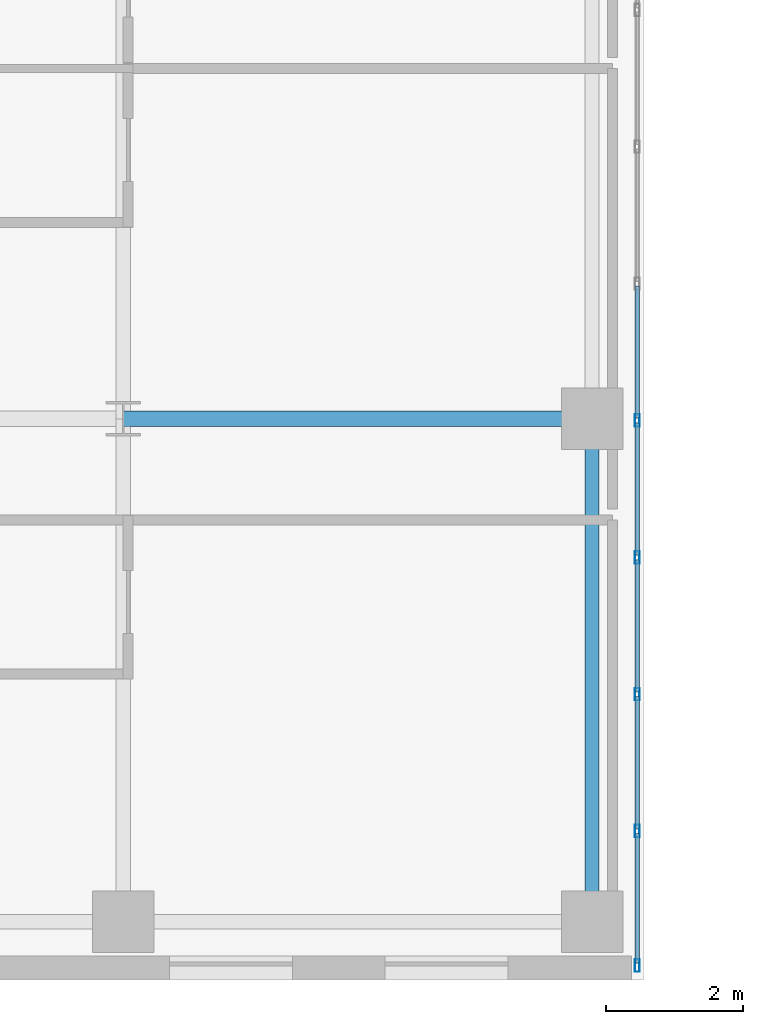
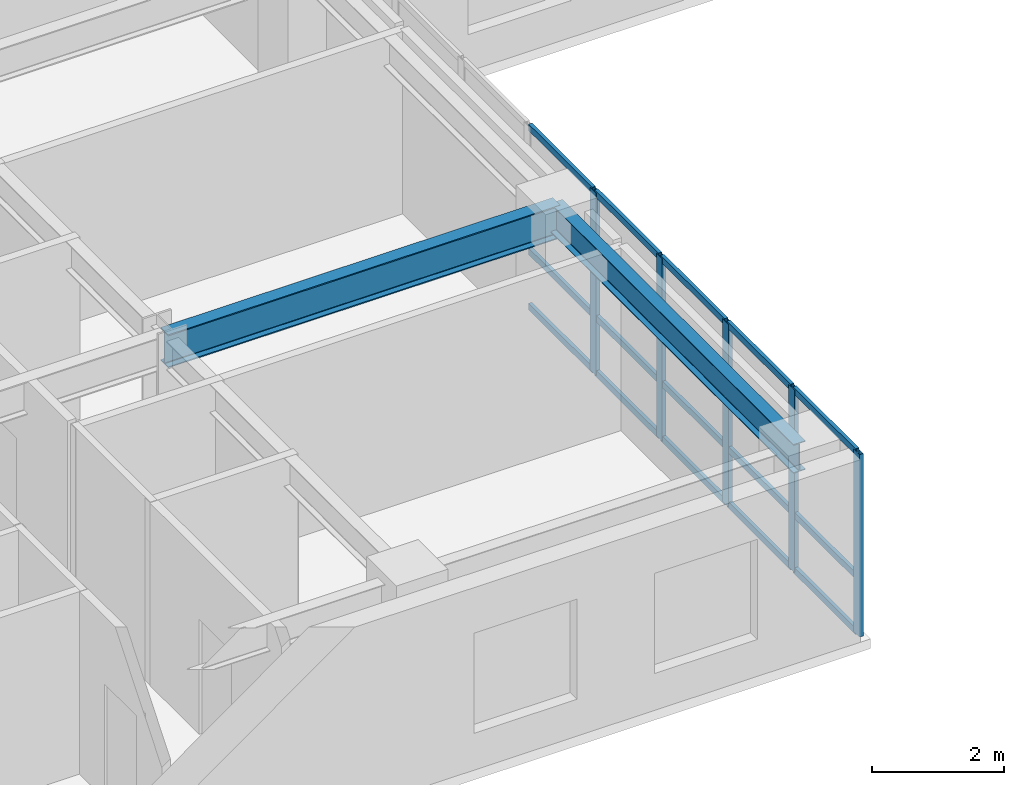
# One storey, part 2 of 17: 20 members, 2 beams, 1 element without a shape of its own.
"""IFC4 building model written with IfcOpenShell, lengths in metres."""

import ifcopenshell
import ifcopenshell.guid

model = None  # the IFC model being written
_history = None  # IfcOwnerHistory: only IFC2X3 demands one
_inside = {}  # id of a spatial element -> (the spatial element, [elements in it])
_under = {}  # id of a project, library or spatial element -> (it, [spatial elements below it])
_declared = {}  # id of a project -> (the project, [libraries it declares])
_typed = {}  # id of a type object -> (the type object, [elements of that type])
_made_of = {}  # id of a material, layer set ... -> (it, [elements and type objects made of it])


def new_model(schema):
    """Start an empty IFC model of exactly this schema.

    Asked for "IFC4X3", IfcOpenShell would pick the latest addendum, in which some entities
    have other attributes; the version numbers below select the first issue.
    IFC2X3 requires an IfcOwnerHistory on every rooted entity: one is made here for all.
    """
    global model, _history
    if schema == "IFC4X3":
        model = ifcopenshell.file(schema_version=(4, 3, 0, 0))
    else:
        model = ifcopenshell.file(schema=schema)
    _inside.clear()
    _under.clear()
    _declared.clear()
    _typed.clear()
    _made_of.clear()
    _history = None
    if model.schema == "IFC2X3":
        org = make("IfcOrganization", Name="unknown")
        user = make(
            "IfcPersonAndOrganization",
            ThePerson=make("IfcPerson", FamilyName="unknown"),
            TheOrganization=org,
        )
        app = make(
            "IfcApplication",
            ApplicationDeveloper=org,
            Version="unknown",
            ApplicationFullName="unknown",
            ApplicationIdentifier="unknown",
        )
        _history = make(
            "IfcOwnerHistory",
            OwningUser=user,
            OwningApplication=app,
            ChangeAction="ADDED",
            CreationDate=0,
        )
    return model


def make(cls, **values):
    """One entity of the class cls with the attributes given. An attribute that is None is left unset."""
    return model.create_entity(
        cls, **{name: value for name, value in values.items() if value is not None}
    )


def rooted(cls, **values):
    """An entity with a GlobalId (a new one), such as an element, a storey or a relation."""
    return make(cls, GlobalId=ifcopenshell.guid.new(), OwnerHistory=_history, **values)


def si_unit(unit_type, name, prefix=None):
    """IfcSIUnit, for example si_unit("LENGTHUNIT", "METRE", prefix="MILLI")."""
    return make("IfcSIUnit", UnitType=unit_type, Prefix=prefix, Name=name)


def assignment(units):
    """IfcUnitAssignment: the units of a project."""
    return None if units is None else make("IfcUnitAssignment", Units=units)


def point(xyz):
    """IfcCartesianPoint."""
    return None if xyz is None else make("IfcCartesianPoint", Coordinates=xyz)


def direction(xyz):
    """IfcDirection."""
    return None if xyz is None else make("IfcDirection", DirectionRatios=xyz)


def frame(location, z_axis=None, x_axis=None):
    """IfcAxis2Placement3D, a coordinate frame: its origin and axes. An axis left out is left unset."""
    return make(
        "IfcAxis2Placement3D",
        Location=point(location),
        Axis=direction(z_axis),
        RefDirection=direction(x_axis),
    )


def frame_2d(location, x_axis=None):
    """IfcAxis2Placement2D, a coordinate frame in the plane: its origin and x axis."""
    return make(
        "IfcAxis2Placement2D", Location=point(location), RefDirection=direction(x_axis)
    )


def origin():
    """The frame at (0, 0, 0) with its axes left unset."""
    return frame((0.0, 0.0, 0.0))


def origin_2d():
    """The frame at (0, 0) in the plane with its x axis left unset."""
    return frame_2d((0.0, 0.0))


def place(relative_to, where):
    """IfcLocalPlacement: puts the frame where relative to a parent placement (None: the world)."""
    return make(
        "IfcLocalPlacement", PlacementRelTo=relative_to, RelativePlacement=where
    )


def context(
    kind, dimensions, precision=None, world=None, true_north=None, identifier=None
):
    """IfcGeometricRepresentationContext, for example the 3D "Model" context."""
    return make(
        "IfcGeometricRepresentationContext",
        ContextIdentifier=identifier,
        ContextType=kind,
        CoordinateSpaceDimension=dimensions,
        Precision=precision,
        WorldCoordinateSystem=world,
        TrueNorth=true_north,
    )


def subcontext(parent, identifier, kind, view, scale=None):
    """IfcGeometricRepresentationSubContext, for example "Body" below "Model"."""
    return make(
        "IfcGeometricRepresentationSubContext",
        ContextIdentifier=identifier,
        ContextType=kind,
        ParentContext=parent,
        TargetScale=scale,
        TargetView=view,
    )


def project(units=None, contexts=None):
    """IfcProject with its units and contexts."""
    return rooted(
        "IfcProject",
        Name="project",
        RepresentationContexts=contexts,
        UnitsInContext=assignment(units),
    )


def spatial(cls, under=None, at=None, **own):
    """A site, building, storey or space (cls), placed at a placement, below another one or the project."""
    s = rooted(cls, ObjectPlacement=at, **own)
    if under is not None:
        _under.setdefault(under.id(), (under, []))[1].append(s)
    return s


def profile(cls, at=None, kind="AREA", **sizes):
    """A parametric profile (cls). Its sizes go by their IFC names, for example OverallWidth=200.0."""
    return make(cls, ProfileType=kind, Position=at, **sizes)


def hollow_rectangle(**sizes):
    """IfcRectangleHollowProfileDef."""
    return profile("IfcRectangleHollowProfileDef", **sizes)


def i_section(**sizes):
    """IfcIShapeProfileDef."""
    return profile("IfcIShapeProfileDef", **sizes)


def extrude(swept, where, along, depth):
    """IfcExtrudedAreaSolid: the profile swept, set in the frame where, extruded along a direction by depth."""
    return make(
        "IfcExtrudedAreaSolid",
        SweptArea=swept,
        Position=where,
        ExtrudedDirection=direction(along),
        Depth=depth,
    )


def shape(context_of_items, identifier, shape_type, items):
    """IfcShapeRepresentation: the items that make up one representation, for example the "Body"."""
    return make(
        "IfcShapeRepresentation",
        ContextOfItems=context_of_items,
        RepresentationIdentifier=identifier,
        RepresentationType=shape_type,
        Items=items,
    )


def source(mapping_origin, context_of_items, identifier, shape_type, items):
    """IfcRepresentationMap: a shape defined once, which mapped items show again and again."""
    return make(
        "IfcRepresentationMap",
        MappingOrigin=mapping_origin,
        MappedRepresentation=shape(context_of_items, identifier, shape_type, items),
    )


def transform(
    local_origin,
    x_axis=None,
    y_axis=None,
    z_axis=None,
    scale=None,
    scale2=None,
    scale3=None,
    uniform=True,
):
    """IfcCartesianTransformationOperator3D, or its non-uniform kind. x_axis, y_axis, z_axis: its Axis1, 2, 3."""
    if uniform:
        return make(
            "IfcCartesianTransformationOperator3D",
            Axis1=direction(x_axis),
            Axis2=direction(y_axis),
            LocalOrigin=point(local_origin),
            Scale=scale,
            Axis3=direction(z_axis),
        )
    return make(
        "IfcCartesianTransformationOperator3DnonUniform",
        Axis1=direction(x_axis),
        Axis2=direction(y_axis),
        LocalOrigin=point(local_origin),
        Scale=scale,
        Axis3=direction(z_axis),
        Scale2=scale2,
        Scale3=scale3,
    )


def mapped(mapping_source, mapping_target):
    """IfcMappedItem: shows the shape of a source again, moved by a transform."""
    return make(
        "IfcMappedItem", MappingSource=mapping_source, MappingTarget=mapping_target
    )


def material(Name=None, Category=None):
    """IfcMaterial."""
    return make("IfcMaterial", Name=Name, Category=Category)


def layer(
    of_material, thickness, ventilated=None, Name=None, Category=None, Priority=None
):
    """IfcMaterialLayer: one layer of a wall or slab, of a material (None: an air gap)."""
    return make(
        "IfcMaterialLayer",
        Material=of_material,
        LayerThickness=thickness,
        IsVentilated=ventilated,
        Name=Name,
        Category=Category,
        Priority=Priority,
    )


def layer_set(layers, Name=None):
    """IfcMaterialLayerSet."""
    return make("IfcMaterialLayerSet", MaterialLayers=layers, LayerSetName=Name)


def material_profile(
    of_material, cross_section, Name=None, Category=None, Priority=None
):
    """IfcMaterialProfile: a cross section and its material."""
    return make(
        "IfcMaterialProfile",
        Name=Name,
        Material=of_material,
        Profile=cross_section,
        Priority=Priority,
        Category=Category,
    )


def profile_set(profiles, Name=None, composite=None):
    """IfcMaterialProfileSet."""
    return make(
        "IfcMaterialProfileSet",
        Name=Name,
        MaterialProfiles=profiles,
        CompositeProfile=composite,
    )


def made_of(thing, what):
    """Note that an element or type object is made of a material, layer set ...; save() writes the relation."""
    if what is not None:
        _made_of.setdefault(what.id(), (what, []))[1].append(thing)
    return thing


def type_object(cls, material=None, **own):
    """A type object (cls), such as IfcWallType, which elements share."""
    return made_of(rooted(cls, **own), material)


def type_shapes(of_type, sources):
    """Give a type object the sources (RepresentationMaps) that its elements show as mapped items."""
    of_type.RepresentationMaps = sources


def element(
    cls,
    number,
    at=None,
    inside=None,
    cuts=None,
    type_object=None,
    material=None,
    context=None,
    identifier="Body",
    shape_type=None,
    held_by="IfcProductDefinitionShape",
    body=None,
    shapes=None,
    **own,
):
    """One element of the class cls, such as IfcWall. Its Tag is "e" and its number.

    at: its placement. inside: the storey or other place that contains it. cuts: it is an
    opening in that element (IfcRelVoidsElement). A single representation is given by context,
    identifier, shape_type and body (its items); several are given by shapes. held_by: the class
    of the entity that holds the representations. save() writes the other relations.
    """
    e = rooted(cls, Tag="e%d" % number, ObjectPlacement=at, **own)
    if body is not None:
        shapes = [shape(context, identifier, shape_type, body)]
    if shapes is not None:
        e.Representation = make(held_by, Representations=shapes)
    if inside is not None:
        _inside.setdefault(inside.id(), (inside, []))[1].append(e)
    if cuts is not None:
        rooted(
            "IfcRelVoidsElement", RelatingBuildingElement=cuts, RelatedOpeningElement=e
        )
    if type_object is not None:
        _typed.setdefault(type_object.id(), (type_object, []))[1].append(e)
    return made_of(e, material)


def aggregate(whole, parts):
    """IfcRelAggregates: a whole, such as a stair, and the parts it consists of."""
    return rooted("IfcRelAggregates", RelatingObject=whole, RelatedObjects=parts)


def save(model, path):
    """Write the relations noted so far, then the file.

    IfcRelAggregates (storeys below a building ...), IfcRelContainedInSpatialStructure (elements
    in a storey), IfcRelDefinesByType, IfcRelAssociatesMaterial and IfcRelDeclares: one each for
    every whole, place, type object, material and project.
    """
    for whole, parts in _under.values():
        aggregate(whole, parts)
    for where, things in _inside.values():
        rooted(
            "IfcRelContainedInSpatialStructure",
            RelatedElements=things,
            RelatingStructure=where,
        )
    for kind, things in _typed.values():
        rooted("IfcRelDefinesByType", RelatedObjects=things, RelatingType=kind)
    for what, things in _made_of.values():
        rooted("IfcRelAssociatesMaterial", RelatedObjects=things, RelatingMaterial=what)
    for by, libraries in _declared.values():
        rooted("IfcRelDeclares", RelatingContext=by, RelatedDefinitions=libraries)
    model.write(path)


model = new_model("IFC4")

# Units and contexts
model_context = context("Model", 3, precision=1e-05, world=origin(), true_north=direction((0.0, 1.0)))
body_context = subcontext(model_context, "Body", "Model", "MODEL_VIEW")
ifc_project = project(units=[si_unit("LENGTHUNIT", "METRE"), si_unit("AREAUNIT", "SQUARE_METRE"), si_unit("VOLUMEUNIT", "CUBIC_METRE"), si_unit("PLANEANGLEUNIT", "RADIAN"), si_unit("MASSUNIT", "GRAM", prefix="KILO")], contexts=[model_context])

# Site, building, storey
site_placement = place(None, origin())
site = spatial("IfcSite", under=ifc_project, at=site_placement, CompositionType="ELEMENT")
building_placement = place(site_placement, origin())
building = spatial("IfcBuilding", under=site, at=building_placement, Name="Tolvann Quenvar Hotel", CompositionType="ELEMENT")
storey_placement = place(building_placement, frame((0.0, 0.0, 136.39990234375)))
storey = spatial("IfcBuildingStorey", under=building, at=storey_placement, Name="L35", CompositionType="ELEMENT", Elevation=136.39990234375)

# Beams
ifc_material_1 = material(Name="Steel Grade 350", Category="steel")
ifc_material_profile_1 = material_profile(ifc_material_1, i_section(OverallWidth=0.22900390625, OverallDepth=0.612060546875, WebThickness=0.011962890625, FlangeThickness=0.01953125, FilletRadius=0.013916015625, at=origin_2d()), Name="610UB125")
ifc_profile_set_1 = profile_set([ifc_material_profile_1], Name="Steel Grade 350")
beam_type_1 = type_object("IfcBeamType", Name="BM_GIRD_610UB125", PredefinedType="BEAM", material=ifc_profile_set_1)
shared_shape_1 = source(origin(), body_context, "Body", "SweptSolid", [
    extrude(i_section(OverallWidth=0.22900390625, OverallDepth=0.612060546875, WebThickness=0.011962890625, FlangeThickness=0.01953125, FilletRadius=0.013916015625, at=origin_2d()), origin(), (0.0, 0.0, 1.0), 6.85009765625),
])
type_shapes(beam_type_1, [shared_shape_1])
beam_1_placement = place(storey_placement, frame((15.199951171875, 8.199951171875, 3.064208984375), z_axis=(1.0, 0.0, 0.0), x_axis=(0.0, 1.0, 0.0)))
element("IfcBeam", 1, at=beam_1_placement, inside=storey, type_object=beam_type_1, Name="BM-L35-EW-3-D3-E3", PredefinedType="BEAM", context=body_context, shape_type="MappedRepresentation", body=[
    mapped(shared_shape_1, transform((0.0, 0.0, 0.0), x_axis=(1.0, 0.0, 0.0), y_axis=(0.0, 1.0, 0.0), z_axis=(0.0, 0.0, 1.0), scale=1.0)),
])
ifc_material_profile_2 = material_profile(ifc_material_1, i_section(OverallWidth=0.208984375, OverallDepth=0.532958984375, WebThickness=0.01025390625, FlangeThickness=0.015625, FilletRadius=0.013916015625, at=origin_2d()), Name="530UB92")
ifc_profile_set_2 = profile_set([ifc_material_profile_2], Name="Steel Grade 350")
beam_type_2 = type_object("IfcBeamType", Name="BM_GIRD_530UB92", PredefinedType="BEAM", material=ifc_profile_set_2)
shared_shape_2 = source(origin(), body_context, "Body", "SweptSolid", [
    extrude(i_section(OverallWidth=0.208984375, OverallDepth=0.532958984375, WebThickness=0.01025390625, FlangeThickness=0.015625, FilletRadius=0.013916015625, at=origin_2d()), origin(), (0.0, 0.0, 1.0), 7.349853515625),
])
type_shapes(beam_type_2, [shared_shape_2])
beam_2_placement = place(storey_placement, frame((22.050048828125, 0.85009765625, 3.103515625), z_axis=(0.0, 1.0, 0.0), x_axis=(-1.0, 0.0, 0.0)))
element("IfcBeam", 2, at=beam_2_placement, inside=storey, type_object=beam_type_2, Name="BM-L35-NS-E2-E3", PredefinedType="BEAM", context=body_context, shape_type="MappedRepresentation", body=[
    mapped(shared_shape_2, transform((0.0, 0.0, 0.0), x_axis=(1.0, 0.0, 0.0), y_axis=(0.0, 1.0, 0.0), z_axis=(0.0, 0.0, 1.0), scale=1.0)),
])

# Curtain wall, members
ifc_material_2 = material(Name="Thermally broken anodised architectural aluminium 6063-T6 and laminated low-E glass", Category="aluminium")
ifc_layer = layer(ifc_material_2, 0.179931640625)
ifc_layer_set = layer_set([ifc_layer], Name="Thermally broken anodised architectural aluminium 6063-T6 and laminated low-E glass")
curtain_wall_type = type_object("IfcCurtainWallType", Name="CW_SYS_SLOT_03", PredefinedType="USERDEFINED", material=ifc_layer_set)
curtain_wall_placement = place(storey_placement, origin())
curtain_wall = element("IfcCurtainWall", 3, at=curtain_wall_placement, inside=storey, type_object=curtain_wall_type, Name="Curtain Wall CW-SLOT-03 (CWR-L35-E05)", ObjectType="UNITISED CURTAIN WALL", PredefinedType="USERDEFINED")
ifc_material_3 = material(Name="Anodised architectural aluminium 6063-T6 framing", Category="aluminium")
ifc_material_profile_3 = material_profile(ifc_material_3, hollow_rectangle(XDim=0.070068359375, YDim=0.179931640625, WallThickness=0.00390625, at=origin_2d()), Name="180x70x4RHS")
ifc_profile_set_3 = profile_set([ifc_material_profile_3], Name="Anodised architectural aluminium 6063-T6 framing")
member_type_1 = type_object("IfcMemberType", Name="CW_MULL_180x70", PredefinedType="MULLION", material=ifc_profile_set_3)
shared_shape_3 = source(origin(), body_context, "Body", "SweptSolid", [
    extrude(hollow_rectangle(XDim=0.070068359375, YDim=0.179931640625, WallThickness=0.00390625, at=origin_2d()), origin(), (0.0, 0.0, 1.0), 3.3701171875),
])
type_shapes(member_type_1, [shared_shape_3])
member_1_placement = place(storey_placement, frame((22.7099609375, 0.2099609375, 0.0), z_axis=(0.0, 0.0, 1.0), x_axis=(-1.0, 0.0, 0.0)))
member_1 = element("IfcMember", 4, at=member_1_placement, type_object=member_type_1, Name="CW-SLOT-03 mullion 1", PredefinedType="MULLION", context=body_context, shape_type="MappedRepresentation", body=[
    mapped(shared_shape_3, transform((0.0, 0.0, 0.0), x_axis=(1.0, 0.0, 0.0), y_axis=(0.0, 1.0, 0.0), z_axis=(0.0, 0.0, 1.0), scale=1.0)),
])
member_2_placement = place(storey_placement, frame((22.7099609375, 2.175048828125, 0.0), z_axis=(0.0, 0.0, 1.0), x_axis=(-1.0, 0.0, 0.0)))
member_2 = element("IfcMember", 5, at=member_2_placement, type_object=member_type_1, Name="CW-SLOT-03 mullion 2", PredefinedType="MULLION", context=body_context, shape_type="MappedRepresentation", body=[
    mapped(shared_shape_3, transform((0.0, 0.0, 0.0), x_axis=(1.0, 0.0, 0.0), y_axis=(0.0, 1.0, 0.0), z_axis=(0.0, 0.0, 1.0), scale=1.0)),
])
member_3_placement = place(storey_placement, frame((22.7099609375, 4.175048828125, 0.0), z_axis=(0.0, 0.0, 1.0), x_axis=(-1.0, 0.0, 0.0)))
member_3 = element("IfcMember", 6, at=member_3_placement, type_object=member_type_1, Name="CW-SLOT-03 mullion 3", PredefinedType="MULLION", context=body_context, shape_type="MappedRepresentation", body=[
    mapped(shared_shape_3, transform((0.0, 0.0, 0.0), x_axis=(1.0, 0.0, 0.0), y_axis=(0.0, 1.0, 0.0), z_axis=(0.0, 0.0, 1.0), scale=1.0)),
])
member_4_placement = place(storey_placement, frame((22.7099609375, 6.175048828125, 0.0), z_axis=(0.0, 0.0, 1.0), x_axis=(-1.0, 0.0, 0.0)))
member_4 = element("IfcMember", 7, at=member_4_placement, type_object=member_type_1, Name="CW-SLOT-03 mullion 4", PredefinedType="MULLION", context=body_context, shape_type="MappedRepresentation", body=[
    mapped(shared_shape_3, transform((0.0, 0.0, 0.0), x_axis=(1.0, 0.0, 0.0), y_axis=(0.0, 1.0, 0.0), z_axis=(0.0, 0.0, 1.0), scale=1.0)),
])
member_5_placement = place(storey_placement, frame((22.7099609375, 8.175048828125, 0.0), z_axis=(0.0, 0.0, 1.0), x_axis=(-1.0, 0.0, 0.0)))
member_5 = element("IfcMember", 8, at=member_5_placement, type_object=member_type_1, Name="CW-SLOT-03 mullion 5", PredefinedType="MULLION", context=body_context, shape_type="MappedRepresentation", body=[
    mapped(shared_shape_3, transform((0.0, 0.0, 0.0), x_axis=(1.0, 0.0, 0.0), y_axis=(0.0, 1.0, 0.0), z_axis=(0.0, 0.0, 1.0), scale=1.0)),
])
ifc_material_profile_4 = material_profile(ifc_material_3, hollow_rectangle(XDim=0.06005859375, YDim=0.1201171875, WallThickness=0.00341796875, at=origin_2d()), Name="120x60x3.5RHS")
ifc_profile_set_4 = profile_set([ifc_material_profile_4], Name="Anodised architectural aluminium 6063-T6 framing")
member_type_2 = type_object("IfcMemberType", Name="CW_TRAN_120x60", PredefinedType="USERDEFINED", material=ifc_profile_set_4)
shared_shape_4 = source(origin(), body_context, "Body", "SweptSolid", [
    extrude(hollow_rectangle(XDim=0.06005859375, YDim=0.1201171875, WallThickness=0.00341796875, at=origin_2d()), origin(), (0.0, 0.0, 1.0), 1.894775390625),
])
member_6_placement = place(storey_placement, frame((22.7099609375, 0.2451171875, 0.030029296875), z_axis=(0.0, 1.0, 0.0), x_axis=(-1.0, 0.0, 0.0)))
member_6 = element("IfcMember", 9, at=member_6_placement, type_object=member_type_2, Name="CW-SLOT-03 transom 1.1", ObjectType="TRANSOM", PredefinedType="USERDEFINED", context=body_context, shape_type="MappedRepresentation", body=[
    mapped(shared_shape_4, transform((0.0, 0.0, 0.0), x_axis=(1.0, 0.0, 0.0), y_axis=(0.0, 1.0, 0.0), z_axis=(0.0, 0.0, 1.0), scale=1.0)),
])
member_7_placement = place(storey_placement, frame((22.7099609375, 0.2451171875, 1.050048828125), z_axis=(0.0, 1.0, 0.0), x_axis=(-1.0, 0.0, 0.0)))
member_7 = element("IfcMember", 10, at=member_7_placement, type_object=member_type_2, Name="CW-SLOT-03 transom 1.2", ObjectType="TRANSOM", PredefinedType="USERDEFINED", context=body_context, shape_type="MappedRepresentation", body=[
    mapped(shared_shape_4, transform((0.0, 0.0, 0.0), x_axis=(1.0, 0.0, 0.0), y_axis=(0.0, 1.0, 0.0), z_axis=(0.0, 0.0, 1.0), scale=1.0)),
])
member_8_placement = place(storey_placement, frame((22.7099609375, 0.2451171875, 3.340087890625), z_axis=(0.0, 1.0, 0.0), x_axis=(-1.0, 0.0, 0.0)))
member_8 = element("IfcMember", 11, at=member_8_placement, type_object=member_type_2, Name="CW-SLOT-03 transom 1.3", ObjectType="TRANSOM", PredefinedType="USERDEFINED", context=body_context, shape_type="MappedRepresentation", body=[
    mapped(shared_shape_4, transform((0.0, 0.0, 0.0), x_axis=(1.0, 0.0, 0.0), y_axis=(0.0, 1.0, 0.0), z_axis=(0.0, 0.0, 1.0), scale=1.0)),
])
shared_shape_5 = source(origin(), body_context, "Body", "SweptSolid", [
    extrude(hollow_rectangle(XDim=0.06005859375, YDim=0.1201171875, WallThickness=0.00341796875, at=origin_2d()), origin(), (0.0, 0.0, 1.0), 1.929931640625),
])
type_shapes(member_type_2, [shared_shape_4, shared_shape_5])
member_9_placement = place(storey_placement, frame((22.7099609375, 2.2099609375, 0.030029296875), z_axis=(0.0, 1.0, 0.0), x_axis=(-1.0, 0.0, 0.0)))
member_9 = element("IfcMember", 12, at=member_9_placement, type_object=member_type_2, Name="CW-SLOT-03 transom 2.1", ObjectType="TRANSOM", PredefinedType="USERDEFINED", context=body_context, shape_type="MappedRepresentation", body=[
    mapped(shared_shape_5, transform((0.0, 0.0, 0.0), x_axis=(1.0, 0.0, 0.0), y_axis=(0.0, 1.0, 0.0), z_axis=(0.0, 0.0, 1.0), scale=1.0)),
])
member_10_placement = place(storey_placement, frame((22.7099609375, 2.2099609375, 1.050048828125), z_axis=(0.0, 1.0, 0.0), x_axis=(-1.0, 0.0, 0.0)))
member_10 = element("IfcMember", 13, at=member_10_placement, type_object=member_type_2, Name="CW-SLOT-03 transom 2.2", ObjectType="TRANSOM", PredefinedType="USERDEFINED", context=body_context, shape_type="MappedRepresentation", body=[
    mapped(shared_shape_5, transform((0.0, 0.0, 0.0), x_axis=(1.0, 0.0, 0.0), y_axis=(0.0, 1.0, 0.0), z_axis=(0.0, 0.0, 1.0), scale=1.0)),
])
member_11_placement = place(storey_placement, frame((22.7099609375, 2.2099609375, 3.340087890625), z_axis=(0.0, 1.0, 0.0), x_axis=(-1.0, 0.0, 0.0)))
member_11 = element("IfcMember", 14, at=member_11_placement, type_object=member_type_2, Name="CW-SLOT-03 transom 2.3", ObjectType="TRANSOM", PredefinedType="USERDEFINED", context=body_context, shape_type="MappedRepresentation", body=[
    mapped(shared_shape_5, transform((0.0, 0.0, 0.0), x_axis=(1.0, 0.0, 0.0), y_axis=(0.0, 1.0, 0.0), z_axis=(0.0, 0.0, 1.0), scale=1.0)),
])
member_12_placement = place(storey_placement, frame((22.7099609375, 4.2099609375, 0.030029296875), z_axis=(0.0, 1.0, 0.0), x_axis=(-1.0, 0.0, 0.0)))
member_12 = element("IfcMember", 15, at=member_12_placement, type_object=member_type_2, Name="CW-SLOT-03 transom 3.1", ObjectType="TRANSOM", PredefinedType="USERDEFINED", context=body_context, shape_type="MappedRepresentation", body=[
    mapped(shared_shape_5, transform((0.0, 0.0, 0.0), x_axis=(1.0, 0.0, 0.0), y_axis=(0.0, 1.0, 0.0), z_axis=(0.0, 0.0, 1.0), scale=1.0)),
])
member_13_placement = place(storey_placement, frame((22.7099609375, 4.2099609375, 1.050048828125), z_axis=(0.0, 1.0, 0.0), x_axis=(-1.0, 0.0, 0.0)))
member_13 = element("IfcMember", 16, at=member_13_placement, type_object=member_type_2, Name="CW-SLOT-03 transom 3.2", ObjectType="TRANSOM", PredefinedType="USERDEFINED", context=body_context, shape_type="MappedRepresentation", body=[
    mapped(shared_shape_5, transform((0.0, 0.0, 0.0), x_axis=(1.0, 0.0, 0.0), y_axis=(0.0, 1.0, 0.0), z_axis=(0.0, 0.0, 1.0), scale=1.0)),
])
member_14_placement = place(storey_placement, frame((22.7099609375, 4.2099609375, 3.340087890625), z_axis=(0.0, 1.0, 0.0), x_axis=(-1.0, 0.0, 0.0)))
member_14 = element("IfcMember", 17, at=member_14_placement, type_object=member_type_2, Name="CW-SLOT-03 transom 3.3", ObjectType="TRANSOM", PredefinedType="USERDEFINED", context=body_context, shape_type="MappedRepresentation", body=[
    mapped(shared_shape_5, transform((0.0, 0.0, 0.0), x_axis=(1.0, 0.0, 0.0), y_axis=(0.0, 1.0, 0.0), z_axis=(0.0, 0.0, 1.0), scale=1.0)),
])
member_15_placement = place(storey_placement, frame((22.7099609375, 6.2099609375, 0.030029296875), z_axis=(0.0, 1.0, 0.0), x_axis=(-1.0, 0.0, 0.0)))
member_15 = element("IfcMember", 18, at=member_15_placement, type_object=member_type_2, Name="CW-SLOT-03 transom 4.1", ObjectType="TRANSOM", PredefinedType="USERDEFINED", context=body_context, shape_type="MappedRepresentation", body=[
    mapped(shared_shape_5, transform((0.0, 0.0, 0.0), x_axis=(1.0, 0.0, 0.0), y_axis=(0.0, 1.0, 0.0), z_axis=(0.0, 0.0, 1.0), scale=1.0)),
])
member_16_placement = place(storey_placement, frame((22.7099609375, 6.2099609375, 1.050048828125), z_axis=(0.0, 1.0, 0.0), x_axis=(-1.0, 0.0, 0.0)))
member_16 = element("IfcMember", 19, at=member_16_placement, type_object=member_type_2, Name="CW-SLOT-03 transom 4.2", ObjectType="TRANSOM", PredefinedType="USERDEFINED", context=body_context, shape_type="MappedRepresentation", body=[
    mapped(shared_shape_5, transform((0.0, 0.0, 0.0), x_axis=(1.0, 0.0, 0.0), y_axis=(0.0, 1.0, 0.0), z_axis=(0.0, 0.0, 1.0), scale=1.0)),
])
member_17_placement = place(storey_placement, frame((22.7099609375, 6.2099609375, 3.340087890625), z_axis=(0.0, 1.0, 0.0), x_axis=(-1.0, 0.0, 0.0)))
member_17 = element("IfcMember", 20, at=member_17_placement, type_object=member_type_2, Name="CW-SLOT-03 transom 4.3", ObjectType="TRANSOM", PredefinedType="USERDEFINED", context=body_context, shape_type="MappedRepresentation", body=[
    mapped(shared_shape_5, transform((0.0, 0.0, 0.0), x_axis=(1.0, 0.0, 0.0), y_axis=(0.0, 1.0, 0.0), z_axis=(0.0, 0.0, 1.0), scale=1.0)),
])
member_18_placement = place(storey_placement, frame((22.7099609375, 8.2099609375, 0.030029296875), z_axis=(0.0, 1.0, 0.0), x_axis=(-1.0, 0.0, 0.0)))
member_18 = element("IfcMember", 21, at=member_18_placement, type_object=member_type_2, Name="CW-SLOT-03 transom 5.1", ObjectType="TRANSOM", PredefinedType="USERDEFINED", context=body_context, shape_type="MappedRepresentation", body=[
    mapped(shared_shape_5, transform((0.0, 0.0, 0.0), x_axis=(1.0, 0.0, 0.0), y_axis=(0.0, 1.0, 0.0), z_axis=(0.0, 0.0, 1.0), scale=1.0)),
])
member_19_placement = place(storey_placement, frame((22.7099609375, 8.2099609375, 1.050048828125), z_axis=(0.0, 1.0, 0.0), x_axis=(-1.0, 0.0, 0.0)))
member_19 = element("IfcMember", 22, at=member_19_placement, type_object=member_type_2, Name="CW-SLOT-03 transom 5.2", ObjectType="TRANSOM", PredefinedType="USERDEFINED", context=body_context, shape_type="MappedRepresentation", body=[
    mapped(shared_shape_5, transform((0.0, 0.0, 0.0), x_axis=(1.0, 0.0, 0.0), y_axis=(0.0, 1.0, 0.0), z_axis=(0.0, 0.0, 1.0), scale=1.0)),
])
member_20_placement = place(storey_placement, frame((22.7099609375, 8.2099609375, 3.340087890625), z_axis=(0.0, 1.0, 0.0), x_axis=(-1.0, 0.0, 0.0)))
member_20 = element("IfcMember", 23, at=member_20_placement, type_object=member_type_2, Name="CW-SLOT-03 transom 5.3", ObjectType="TRANSOM", PredefinedType="USERDEFINED", context=body_context, shape_type="MappedRepresentation", body=[
    mapped(shared_shape_5, transform((0.0, 0.0, 0.0), x_axis=(1.0, 0.0, 0.0), y_axis=(0.0, 1.0, 0.0), z_axis=(0.0, 0.0, 1.0), scale=1.0)),
])
aggregate(curtain_wall, [member_1, member_2, member_3, member_4, member_5, member_6, member_7, member_8, member_9, member_10, member_11, member_12, member_13, member_14, member_15, member_16, member_17, member_18, member_19, member_20])

save(model, "model.ifc")
